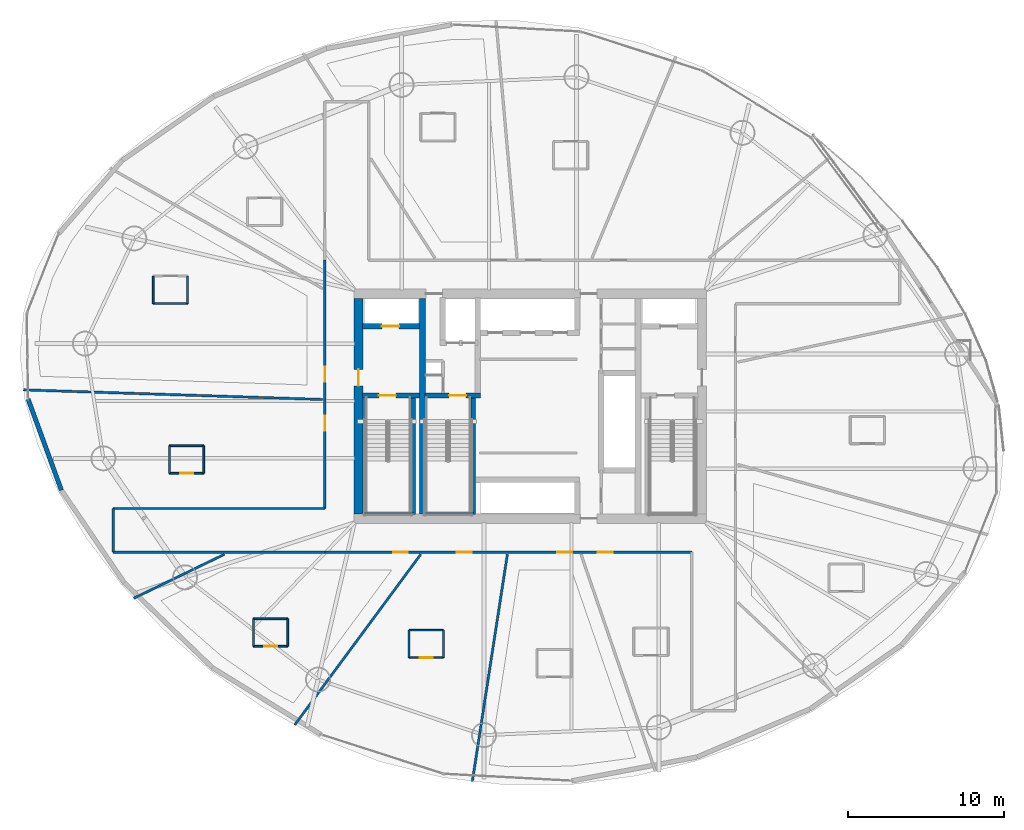
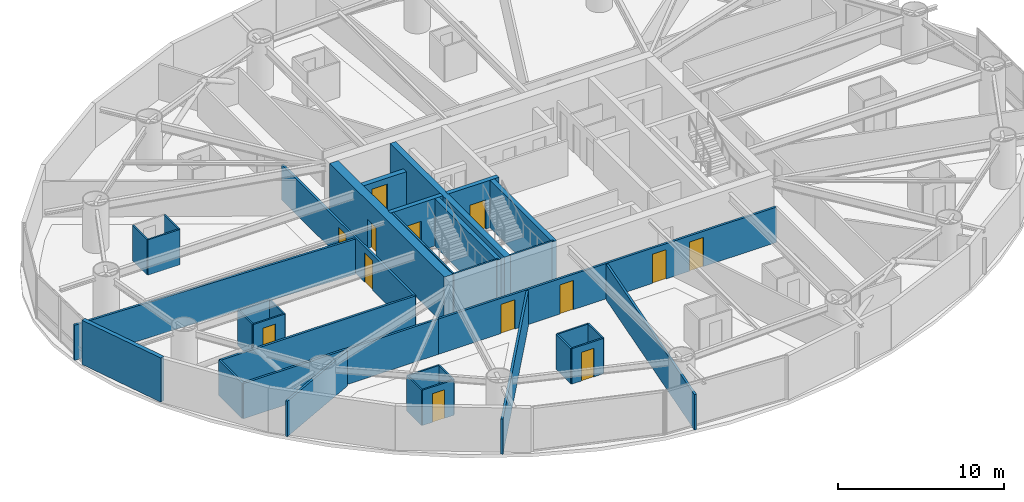
# One storey, part 19 of 26: 35 walls, 13 doors, 13 openings.
"""IFC4 building model written with IfcOpenShell, lengths in metres."""

import ifcopenshell
import ifcopenshell.guid

model = None  # the IFC model being written
_history = None  # IfcOwnerHistory: only IFC2X3 demands one
_inside = {}  # id of a spatial element -> (the spatial element, [elements in it])
_under = {}  # id of a project, library or spatial element -> (it, [spatial elements below it])
_declared = {}  # id of a project -> (the project, [libraries it declares])
_typed = {}  # id of a type object -> (the type object, [elements of that type])
_made_of = {}  # id of a material, layer set ... -> (it, [elements and type objects made of it])


def new_model(schema):
    """Start an empty IFC model of exactly this schema.

    Asked for "IFC4X3", IfcOpenShell would pick the latest addendum, in which some entities
    have other attributes; the version numbers below select the first issue.
    IFC2X3 requires an IfcOwnerHistory on every rooted entity: one is made here for all.
    """
    global model, _history
    if schema == "IFC4X3":
        model = ifcopenshell.file(schema_version=(4, 3, 0, 0))
    else:
        model = ifcopenshell.file(schema=schema)
    _inside.clear()
    _under.clear()
    _declared.clear()
    _typed.clear()
    _made_of.clear()
    _history = None
    if model.schema == "IFC2X3":
        org = make("IfcOrganization", Name="unknown")
        user = make(
            "IfcPersonAndOrganization",
            ThePerson=make("IfcPerson", FamilyName="unknown"),
            TheOrganization=org,
        )
        app = make(
            "IfcApplication",
            ApplicationDeveloper=org,
            Version="unknown",
            ApplicationFullName="unknown",
            ApplicationIdentifier="unknown",
        )
        _history = make(
            "IfcOwnerHistory",
            OwningUser=user,
            OwningApplication=app,
            ChangeAction="ADDED",
            CreationDate=0,
        )
    return model


def make(cls, **values):
    """One entity of the class cls with the attributes given. An attribute that is None is left unset."""
    return model.create_entity(
        cls, **{name: value for name, value in values.items() if value is not None}
    )


def rooted(cls, **values):
    """An entity with a GlobalId (a new one), such as an element, a storey or a relation."""
    return make(cls, GlobalId=ifcopenshell.guid.new(), OwnerHistory=_history, **values)


def si_unit(unit_type, name, prefix=None):
    """IfcSIUnit, for example si_unit("LENGTHUNIT", "METRE", prefix="MILLI")."""
    return make("IfcSIUnit", UnitType=unit_type, Prefix=prefix, Name=name)


def assignment(units):
    """IfcUnitAssignment: the units of a project."""
    return None if units is None else make("IfcUnitAssignment", Units=units)


def point(xyz):
    """IfcCartesianPoint."""
    return None if xyz is None else make("IfcCartesianPoint", Coordinates=xyz)


def direction(xyz):
    """IfcDirection."""
    return None if xyz is None else make("IfcDirection", DirectionRatios=xyz)


def frame(location, z_axis=None, x_axis=None):
    """IfcAxis2Placement3D, a coordinate frame: its origin and axes. An axis left out is left unset."""
    return make(
        "IfcAxis2Placement3D",
        Location=point(location),
        Axis=direction(z_axis),
        RefDirection=direction(x_axis),
    )


def frame_2d(location, x_axis=None):
    """IfcAxis2Placement2D, a coordinate frame in the plane: its origin and x axis."""
    return make(
        "IfcAxis2Placement2D", Location=point(location), RefDirection=direction(x_axis)
    )


def origin():
    """The frame at (0, 0, 0) with its axes left unset."""
    return frame((0.0, 0.0, 0.0))


def place(relative_to, where):
    """IfcLocalPlacement: puts the frame where relative to a parent placement (None: the world)."""
    return make(
        "IfcLocalPlacement", PlacementRelTo=relative_to, RelativePlacement=where
    )


def context(
    kind, dimensions, precision=None, world=None, true_north=None, identifier=None
):
    """IfcGeometricRepresentationContext, for example the 3D "Model" context."""
    return make(
        "IfcGeometricRepresentationContext",
        ContextIdentifier=identifier,
        ContextType=kind,
        CoordinateSpaceDimension=dimensions,
        Precision=precision,
        WorldCoordinateSystem=world,
        TrueNorth=true_north,
    )


def subcontext(parent, identifier, kind, view, scale=None):
    """IfcGeometricRepresentationSubContext, for example "Body" below "Model"."""
    return make(
        "IfcGeometricRepresentationSubContext",
        ContextIdentifier=identifier,
        ContextType=kind,
        ParentContext=parent,
        TargetScale=scale,
        TargetView=view,
    )


def project(units=None, contexts=None):
    """IfcProject with its units and contexts."""
    return rooted(
        "IfcProject",
        Name="project",
        RepresentationContexts=contexts,
        UnitsInContext=assignment(units),
    )


def spatial(cls, under=None, at=None, **own):
    """A site, building, storey or space (cls), placed at a placement, below another one or the project."""
    s = rooted(cls, ObjectPlacement=at, **own)
    if under is not None:
        _under.setdefault(under.id(), (under, []))[1].append(s)
    return s


def profile(cls, at=None, kind="AREA", **sizes):
    """A parametric profile (cls). Its sizes go by their IFC names, for example OverallWidth=200.0."""
    return make(cls, ProfileType=kind, Position=at, **sizes)


def rectangle(**sizes):
    """IfcRectangleProfileDef."""
    return profile("IfcRectangleProfileDef", **sizes)


def extrude(swept, where, along, depth):
    """IfcExtrudedAreaSolid: the profile swept, set in the frame where, extruded along a direction by depth."""
    return make(
        "IfcExtrudedAreaSolid",
        SweptArea=swept,
        Position=where,
        ExtrudedDirection=direction(along),
        Depth=depth,
    )


def shape(context_of_items, identifier, shape_type, items):
    """IfcShapeRepresentation: the items that make up one representation, for example the "Body"."""
    return make(
        "IfcShapeRepresentation",
        ContextOfItems=context_of_items,
        RepresentationIdentifier=identifier,
        RepresentationType=shape_type,
        Items=items,
    )


def material(Name=None, Category=None):
    """IfcMaterial."""
    return make("IfcMaterial", Name=Name, Category=Category)


def layer(
    of_material, thickness, ventilated=None, Name=None, Category=None, Priority=None
):
    """IfcMaterialLayer: one layer of a wall or slab, of a material (None: an air gap)."""
    return make(
        "IfcMaterialLayer",
        Material=of_material,
        LayerThickness=thickness,
        IsVentilated=ventilated,
        Name=Name,
        Category=Category,
        Priority=Priority,
    )


def layer_set(layers, Name=None):
    """IfcMaterialLayerSet."""
    return make("IfcMaterialLayerSet", MaterialLayers=layers, LayerSetName=Name)


def made_of(thing, what):
    """Note that an element or type object is made of a material, layer set ...; save() writes the relation."""
    if what is not None:
        _made_of.setdefault(what.id(), (what, []))[1].append(thing)
    return thing


def type_object(cls, material=None, **own):
    """A type object (cls), such as IfcWallType, which elements share."""
    return made_of(rooted(cls, **own), material)


def element(
    cls,
    number,
    at=None,
    inside=None,
    cuts=None,
    type_object=None,
    material=None,
    context=None,
    identifier="Body",
    shape_type=None,
    held_by="IfcProductDefinitionShape",
    body=None,
    shapes=None,
    **own,
):
    """One element of the class cls, such as IfcWall. Its Tag is "e" and its number.

    at: its placement. inside: the storey or other place that contains it. cuts: it is an
    opening in that element (IfcRelVoidsElement). A single representation is given by context,
    identifier, shape_type and body (its items); several are given by shapes. held_by: the class
    of the entity that holds the representations. save() writes the other relations.
    """
    e = rooted(cls, Tag="e%d" % number, ObjectPlacement=at, **own)
    if body is not None:
        shapes = [shape(context, identifier, shape_type, body)]
    if shapes is not None:
        e.Representation = make(held_by, Representations=shapes)
    if inside is not None:
        _inside.setdefault(inside.id(), (inside, []))[1].append(e)
    if cuts is not None:
        rooted(
            "IfcRelVoidsElement", RelatingBuildingElement=cuts, RelatedOpeningElement=e
        )
    if type_object is not None:
        _typed.setdefault(type_object.id(), (type_object, []))[1].append(e)
    return made_of(e, material)


def fill(opening, filler):
    """IfcRelFillsElement: the door or window that sits in an opening."""
    return rooted(
        "IfcRelFillsElement",
        RelatingOpeningElement=opening,
        RelatedBuildingElement=filler,
    )


def aggregate(whole, parts):
    """IfcRelAggregates: a whole, such as a stair, and the parts it consists of."""
    return rooted("IfcRelAggregates", RelatingObject=whole, RelatedObjects=parts)


def save(model, path):
    """Write the relations noted so far, then the file.

    IfcRelAggregates (storeys below a building ...), IfcRelContainedInSpatialStructure (elements
    in a storey), IfcRelDefinesByType, IfcRelAssociatesMaterial and IfcRelDeclares: one each for
    every whole, place, type object, material and project.
    """
    for whole, parts in _under.values():
        aggregate(whole, parts)
    for where, things in _inside.values():
        rooted(
            "IfcRelContainedInSpatialStructure",
            RelatedElements=things,
            RelatingStructure=where,
        )
    for kind, things in _typed.values():
        rooted("IfcRelDefinesByType", RelatedObjects=things, RelatingType=kind)
    for what, things in _made_of.values():
        rooted("IfcRelAssociatesMaterial", RelatedObjects=things, RelatingMaterial=what)
    for by, libraries in _declared.values():
        rooted("IfcRelDeclares", RelatingContext=by, RelatedDefinitions=libraries)
    model.write(path)


model = new_model("IFC4")

# Units and contexts
model_context = context("Model", 3, precision=1e-05, world=origin(), true_north=direction((0.0, 1.0)))
body_context = subcontext(model_context, "Body", "Model", "MODEL_VIEW")
ifc_project = project(units=[si_unit("LENGTHUNIT", "METRE"), si_unit("AREAUNIT", "SQUARE_METRE"), si_unit("VOLUMEUNIT", "CUBIC_METRE"), si_unit("PLANEANGLEUNIT", "RADIAN"), si_unit("MASSUNIT", "GRAM", prefix="KILO")], contexts=[model_context])

# Site, building, storey
site_placement = place(None, origin())
site = spatial("IfcSite", under=ifc_project, at=site_placement, CompositionType="ELEMENT")
building_placement = place(site_placement, origin())
building = spatial("IfcBuilding", under=site, at=building_placement, Name="Bramvorn Convention Spire", CompositionType="ELEMENT")
storey_placement = place(building_placement, frame((0.0, 0.0, 76.39990234375)))
storey = spatial("IfcBuildingStorey", under=building, at=storey_placement, Name="L17", CompositionType="ELEMENT", Elevation=76.39990234375)

# Wall, opening, door
ifc_material_1 = material(Name="Concrete C60/70", Category="concrete")
ifc_layer_1 = layer(ifc_material_1, 0.60009765625)
ifc_layer_set_1 = layer_set([ifc_layer_1], Name="Concrete C60/70 - WL-CORE-600")
wall_type_1 = type_object("IfcWallType", Name="WL-CORE-600", PredefinedType="SHEAR", material=ifc_layer_set_1)
wall_1_placement = place(storey_placement, frame((27.0, 19.10009765625, 0.0), z_axis=(0.0, 0.0, 1.0), x_axis=(0.0, 1.0, 0.0)))
wall_1 = element("IfcWall", 1, at=wall_1_placement, inside=storey, type_object=wall_type_1, Name="L17 West RC core shear wall", PredefinedType="SHEAR", context=body_context, shape_type="SweptSolid", body=[
    extrude(rectangle(XDim=13.7998046875, YDim=0.60009765625, at=frame_2d((6.89990234375, 0.0))), origin(), (0.0, 0.0, 1.0), 3.5),
])
opening_1_placement = place(wall_1_placement, frame((8.199951171875, 0.0, 0.0)))
opening_1 = element("IfcOpeningElement", 2, at=opening_1_placement, cuts=wall_1, Name="Opening DL-105", PredefinedType="OPENING", context=body_context, shape_type="SweptSolid", body=[
    extrude(rectangle(XDim=1.050048828125, YDim=2.14990234375, at=frame_2d((0.52490234375, 1.074951171875))), frame((0.0, 0.31005859375, 0.0), z_axis=(0.0, -1.0, 0.0), x_axis=(1.0, 0.0, 0.0)), (0.0, 0.0, 1.0), 0.6201171875),
])
ifc_material_2 = material(Name="Smoke-Sealed Fire Lobby Timber-Core Door", Category="wood")
door_type_1 = type_object("IfcDoorType", Name="DR-LOBBY-1050", OperationType="NOTDEFINED", PredefinedType="DOOR", material=ifc_material_2)
door_1_placement = place(opening_1_placement, origin())
door_1 = element("IfcDoor", 3, at=door_1_placement, inside=storey, type_object=door_type_1, Name="L17 West Firefighting Lobby corridor door", OperationType="SINGLE_SWING_RIGHT", OverallHeight=2.14990234375, OverallWidth=1.050048828125, PredefinedType="DOOR", context=body_context, shape_type="SweptSolid", body=[
    extrude(rectangle(XDim=1.050048828125, YDim=2.14990234375, at=frame_2d((0.52490234375, 1.074951171875))), frame((0.0, 0.02490234375, 0.0), z_axis=(0.0, -1.0, 0.0), x_axis=(1.0, 0.0, 0.0)), (0.0, 0.0, 1.0), 0.050048828125),
])
fill(opening_1, door_1)

ifc_material_3 = material(Name="Concrete C50/60", Category="concrete")
ifc_layer_2 = layer(ifc_material_3, 0.35009765625)
ifc_layer_set_2 = layer_set([ifc_layer_2], Name="Concrete C50/60 - WL-CORE-INT-350")
wall_type_2 = type_object("IfcWallType", Name="WL-CORE-INT-350", PredefinedType="SHEAR", material=ifc_layer_set_2)
wall_2_placement = place(storey_placement, frame((27.25, 31.1201171875, 0.0), z_axis=(0.0, 0.0, 1.0), x_axis=(1.0, 0.0, 0.0)))
wall_2 = element("IfcWall", 4, at=wall_2_placement, inside=storey, type_object=wall_type_2, Name="L17 FE1 shaft front wall", PredefinedType="SHEAR", context=body_context, shape_type="SweptSolid", body=[
    extrude(rectangle(XDim=3.669921875, YDim=0.35009765625, at=frame_2d((1.8349609375, 0.0))), origin(), (0.0, 0.0, 1.0), 2.60009765625),
])
opening_2_placement = place(wall_2_placement, frame((1.25, 0.0, 0.0)))
opening_2 = element("IfcOpeningElement", 5, at=opening_2_placement, cuts=wall_2, Name="Opening LD-110", PredefinedType="OPENING", context=body_context, shape_type="SweptSolid", body=[
    extrude(rectangle(XDim=1.10009765625, YDim=2.14990234375, at=frame_2d((0.550048828125, 1.074951171875))), frame((0.0, 0.18505859375, 0.0), z_axis=(0.0, -1.0, 0.0), x_axis=(1.0, 0.0, 0.0)), (0.0, 0.0, 1.0), 0.3701171875),
])
ifc_material_4 = material(Name="Firefighting & Service Lift Sliding Landing Door", Category="steel")
door_type_2 = type_object("IfcDoorType", Name="DR-LIFT-LD-1100", OperationType="NOTDEFINED", PredefinedType="DOOR", material=ifc_material_4)
door_2_placement = place(opening_2_placement, origin())
door_2 = element("IfcDoor", 6, at=door_2_placement, inside=storey, type_object=door_type_2, Name="L17 Lift FE1 Sliding Landing Door", OperationType="SLIDING_TO_LEFT", OverallHeight=2.14990234375, OverallWidth=1.10009765625, PredefinedType="DOOR", context=body_context, shape_type="SweptSolid", body=[
    extrude(rectangle(XDim=1.10009765625, YDim=2.14990234375, at=frame_2d((0.550048828125, 1.074951171875))), frame((0.0, 0.02490234375, 0.0), z_axis=(0.0, -1.0, 0.0), x_axis=(1.0, 0.0, 0.0)), (0.0, 0.0, 1.0), 0.050048828125),
])
fill(opening_2, door_2)

# Walls
ifc_layer_3 = layer(ifc_material_1, 0.39990234375)
ifc_layer_set_3 = layer_set([ifc_layer_3], Name="Concrete C60/70 - WL-CORE-INT-400")
wall_type_3 = type_object("IfcWallType", Name="WL-CORE-INT-400", PredefinedType="SHEAR", material=ifc_layer_set_3)
wall_3_placement = place(storey_placement, frame((31.10009765625, 19.10009765625, 0.0), z_axis=(0.0, 0.0, 1.0), x_axis=(0.0, 1.0, 0.0)))
element("IfcWall", 7, at=wall_3_placement, inside=storey, type_object=wall_type_3, Name="L17 West internal core shear web", PredefinedType="SHEAR", context=body_context, shape_type="SweptSolid", body=[
    extrude(rectangle(XDim=13.7998046875, YDim=0.39990234375, at=frame_2d((6.89990234375, 0.0))), origin(), (0.0, 0.0, 1.0), 3.5),
])
ifc_material_5 = material(Name="Precast Concrete C40/50 with Bronze Terracotta Rainscreen", Category="masonry")
ifc_layer_4 = layer(ifc_material_5, 0.300048828125)
ifc_layer_set_4 = layer_set([ifc_layer_4], Name="Precast Concrete C40/50 with Bronze Terracotta Rainscreen - WL-EXT-BRONZE-300")
wall_type_4 = type_object("IfcWallType", Name="WL-EXT-BRONZE-300", PredefinedType="SOLIDWALL", material=ifc_layer_set_4)
wall_4_placement = place(storey_placement, frame((7.97607421875, 20.614013671875, 0.0), z_axis=(0.0, 0.0, 1.0), x_axis=(-0.343216289835, 0.939256396514, 0.0)))
element("IfcWall", 8, at=wall_4_placement, inside=storey, type_object=wall_type_4, Name="L17 expressed bronze Gothic lancet pier wall 14", PredefinedType="SOLIDWALL", context=body_context, shape_type="SweptSolid", body=[
    extrude(rectangle(XDim=6.212158203125, YDim=0.280029296875, at=frame_2d((3.10595703125, 0.0))), origin(), (0.0, 0.0, 1.0), 3.25),
])
ifc_material_6 = material(Name="Lightweight En-Suite & Wet-Wall Partition", Category="gypsum")
ifc_layer_5 = layer(ifc_material_6, 0.110107421875)
ifc_layer_set_5 = layer_set([ifc_layer_5], Name="Lightweight En-Suite & Wet-Wall Partition - WL-PART-110")
wall_type_5 = type_object("IfcWallType", Name="WL-PART-110", PredefinedType="PARTITIONING", material=ifc_layer_set_5)
wall_5_placement = place(storey_placement, frame((13.850830078125, 32.57568359375, 0.0), z_axis=(0.0, 0.0, 1.0), x_axis=(1.0, 0.0, 0.0)))
element("IfcWall", 9, at=wall_5_placement, inside=storey, type_object=wall_type_5, Name="Hotel Suite 1706 en-suite south wall", PredefinedType="PARTITIONING", context=body_context, shape_type="SweptSolid", body=[
    extrude(rectangle(XDim=2.199951171875, YDim=0.110107421875, at=frame_2d((1.10009765625, 0.0))), origin(), (0.0, 0.0, 1.0), 2.60009765625),
])
for number, where, z_axis, x_axis, name in (
    (10, (13.850830078125, 32.57568359375, 0.0), (0.0, 0.0, 1.0), (0.0, 1.0, 0.0), "Hotel Suite 1706 en-suite west wall"),
    (11, (16.05078125, 32.57568359375, 0.0), (0.0, 0.0, 1.0), (0.0, 1.0, 0.0), "Hotel Suite 1706 en-suite east wall"),
):
    element("IfcWall", number, at=place(storey_placement, frame(where, z_axis=z_axis, x_axis=x_axis)), inside=storey, type_object=wall_type_5, Name=name, PredefinedType="PARTITIONING", context=body_context, shape_type="SweptSolid", body=[
        extrude(rectangle(XDim=1.760009765625, YDim=0.110107421875, at=frame_2d((0.8798828125, 0.0))), origin(), (0.0, 0.0, 1.0), 2.60009765625),
    ])

# Wall, opening, door
wall_6_placement = place(storey_placement, frame((14.89306640625, 21.70166015625, 0.0), z_axis=(0.0, 0.0, 1.0), x_axis=(1.0, 0.0, 0.0)))
wall_6 = element("IfcWall", 12, at=wall_6_placement, inside=storey, type_object=wall_type_5, Name="Hotel Suite 1707 en-suite south wall", PredefinedType="PARTITIONING", context=body_context, shape_type="SweptSolid", body=[
    extrude(rectangle(XDim=2.199951171875, YDim=0.110107421875, at=frame_2d((1.10009765625, 0.0))), origin(), (0.0, 0.0, 1.0), 2.60009765625),
])
opening_3_placement = place(wall_6_placement, frame((0.679931640625, 0.0, 0.0)))
opening_3 = element("IfcOpeningElement", 13, at=opening_3_placement, cuts=wall_6, Name="Opening DI-085", PredefinedType="OPENING", context=body_context, shape_type="SweptSolid", body=[
    extrude(rectangle(XDim=0.85009765625, YDim=2.10009765625, at=frame_2d((0.425048828125, 1.050048828125))), frame((0.0, 0.06494140625, 0.0), z_axis=(0.0, -1.0, 0.0), x_axis=(1.0, 0.0, 0.0)), (0.0, 0.0, 1.0), 0.130126953125),
])
ifc_material_7 = material(Name="En-Suite & Restroom Privacy Door", Category="wood")
door_type_3 = type_object("IfcDoorType", Name="DR-INT-850", OperationType="NOTDEFINED", PredefinedType="DOOR", material=ifc_material_7)
door_3_placement = place(opening_3_placement, origin())
door_3 = element("IfcDoor", 14, at=door_3_placement, inside=storey, type_object=door_type_3, Name="Hotel Suite 1707 En-Suite Bathroom door", OperationType="SINGLE_SWING_LEFT", OverallHeight=2.10009765625, OverallWidth=0.85009765625, PredefinedType="DOOR", context=body_context, shape_type="SweptSolid", body=[
    extrude(rectangle(XDim=0.85009765625, YDim=2.10009765625, at=frame_2d((0.425048828125, 1.050048828125))), frame((0.0, 0.02490234375, 0.0), z_axis=(0.0, -1.0, 0.0), x_axis=(1.0, 0.0, 0.0)), (0.0, 0.0, 1.0), 0.050048828125),
])
fill(opening_3, door_3)

# Walls
wall_7_placement = place(storey_placement, frame((14.89306640625, 23.461669921875, 0.0), z_axis=(0.0, 0.0, 1.0), x_axis=(1.0, 0.0, 0.0)))
element("IfcWall", 15, at=wall_7_placement, inside=storey, type_object=wall_type_5, Name="Hotel Suite 1707 en-suite north wall", PredefinedType="PARTITIONING", context=body_context, shape_type="SweptSolid", body=[
    extrude(rectangle(XDim=2.199951171875, YDim=0.110107421875, at=frame_2d((1.10009765625, 0.0))), origin(), (0.0, 0.0, 1.0), 2.60009765625),
])
for number, where, z_axis, x_axis, name in (
    (16, (14.89306640625, 21.70166015625, 0.0), (0.0, 0.0, 1.0), (0.0, 1.0, 0.0), "Hotel Suite 1707 en-suite west wall"),
    (17, (17.093017578125, 21.70166015625, 0.0), (0.0, 0.0, 1.0), (0.0, 1.0, 0.0), "Hotel Suite 1707 en-suite east wall"),
):
    element("IfcWall", number, at=place(storey_placement, frame(where, z_axis=z_axis, x_axis=x_axis)), inside=storey, type_object=wall_type_5, Name=name, PredefinedType="PARTITIONING", context=body_context, shape_type="SweptSolid", body=[
        extrude(rectangle(XDim=1.760009765625, YDim=0.110107421875, at=frame_2d((0.8798828125, 0.0))), origin(), (0.0, 0.0, 1.0), 2.60009765625),
    ])

# Wall, opening, door
wall_8_placement = place(storey_placement, frame((20.272216796875, 10.625732421875, 0.0), z_axis=(0.0, 0.0, 1.0), x_axis=(1.0, 0.0, 0.0)))
wall_8 = element("IfcWall", 18, at=wall_8_placement, inside=storey, type_object=wall_type_5, Name="Hotel Suite 1708 en-suite south wall", PredefinedType="PARTITIONING", context=body_context, shape_type="SweptSolid", body=[
    extrude(rectangle(XDim=2.2001953125, YDim=0.110107421875, at=frame_2d((1.10009765625, 0.0))), origin(), (0.0, 0.0, 1.0), 2.60009765625),
])
opening_4_placement = place(wall_8_placement, frame((0.679931640625, 0.0, 0.0)))
opening_4 = element("IfcOpeningElement", 19, at=opening_4_placement, cuts=wall_8, Name="Opening DI-085", PredefinedType="OPENING", context=body_context, shape_type="SweptSolid", body=[
    extrude(rectangle(XDim=0.85009765625, YDim=2.10009765625, at=frame_2d((0.425048828125, 1.050048828125))), frame((0.0, 0.06494140625, 0.0), z_axis=(0.0, -1.0, 0.0), x_axis=(1.0, 0.0, 0.0)), (0.0, 0.0, 1.0), 0.130126953125),
])
door_4_placement = place(opening_4_placement, origin())
door_4 = element("IfcDoor", 20, at=door_4_placement, inside=storey, type_object=door_type_3, Name="Hotel Suite 1708 En-Suite Bathroom door", OperationType="SINGLE_SWING_LEFT", OverallHeight=2.10009765625, OverallWidth=0.85009765625, PredefinedType="DOOR", context=body_context, shape_type="SweptSolid", body=[
    extrude(rectangle(XDim=0.85009765625, YDim=2.10009765625, at=frame_2d((0.425048828125, 1.050048828125))), frame((0.0, 0.02490234375, 0.0), z_axis=(0.0, -1.0, 0.0), x_axis=(1.0, 0.0, 0.0)), (0.0, 0.0, 1.0), 0.050048828125),
])
fill(opening_4, door_4)

# Walls
wall_9_placement = place(storey_placement, frame((20.272216796875, 12.3857421875, 0.0), z_axis=(0.0, 0.0, 1.0), x_axis=(1.0, 0.0, 0.0)))
element("IfcWall", 21, at=wall_9_placement, inside=storey, type_object=wall_type_5, Name="Hotel Suite 1708 en-suite north wall", PredefinedType="PARTITIONING", context=body_context, shape_type="SweptSolid", body=[
    extrude(rectangle(XDim=2.2001953125, YDim=0.110107421875, at=frame_2d((1.10009765625, 0.0))), origin(), (0.0, 0.0, 1.0), 2.60009765625),
])
for number, where, z_axis, x_axis, name in (
    (22, (20.272216796875, 10.625732421875, 0.0), (0.0, 0.0, 1.0), (0.0, 1.0, 0.0), "Hotel Suite 1708 en-suite west wall"),
    (23, (22.472412109375, 10.625732421875, 0.0), (0.0, 0.0, 1.0), (0.0, 1.0, 0.0), "Hotel Suite 1708 en-suite east wall"),
):
    element("IfcWall", number, at=place(storey_placement, frame(where, z_axis=z_axis, x_axis=x_axis)), inside=storey, type_object=wall_type_5, Name=name, PredefinedType="PARTITIONING", context=body_context, shape_type="SweptSolid", body=[
        extrude(rectangle(XDim=1.760009765625, YDim=0.110107421875, at=frame_2d((0.8798828125, 0.0))), origin(), (0.0, 0.0, 1.0), 2.60009765625),
    ])

# Wall, opening, door
wall_10_placement = place(storey_placement, frame((30.240478515625, 9.897216796875, 0.0), z_axis=(0.0, 0.0, 1.0), x_axis=(1.0, 0.0, 0.0)))
wall_10 = element("IfcWall", 24, at=wall_10_placement, inside=storey, type_object=wall_type_5, Name="Hotel Suite 1709 en-suite south wall", PredefinedType="PARTITIONING", context=body_context, shape_type="SweptSolid", body=[
    extrude(rectangle(XDim=2.2001953125, YDim=0.110107421875, at=frame_2d((1.10009765625, 0.0))), origin(), (0.0, 0.0, 1.0), 2.60009765625),
])
opening_5_placement = place(wall_10_placement, frame((0.679931640625, 0.0, 0.0)))
opening_5 = element("IfcOpeningElement", 25, at=opening_5_placement, cuts=wall_10, Name="Opening DI-085", PredefinedType="OPENING", context=body_context, shape_type="SweptSolid", body=[
    extrude(rectangle(XDim=0.85009765625, YDim=2.10009765625, at=frame_2d((0.425048828125, 1.050048828125))), frame((0.0, 0.06494140625, 0.0), z_axis=(0.0, -1.0, 0.0), x_axis=(1.0, 0.0, 0.0)), (0.0, 0.0, 1.0), 0.130126953125),
])
door_5_placement = place(opening_5_placement, origin())
door_5 = element("IfcDoor", 26, at=door_5_placement, inside=storey, type_object=door_type_3, Name="Hotel Suite 1709 En-Suite Bathroom door", OperationType="SINGLE_SWING_LEFT", OverallHeight=2.10009765625, OverallWidth=0.85009765625, PredefinedType="DOOR", context=body_context, shape_type="SweptSolid", body=[
    extrude(rectangle(XDim=0.85009765625, YDim=2.10009765625, at=frame_2d((0.425048828125, 1.050048828125))), frame((0.0, 0.02490234375, 0.0), z_axis=(0.0, -1.0, 0.0), x_axis=(1.0, 0.0, 0.0)), (0.0, 0.0, 1.0), 0.050048828125),
])
fill(opening_5, door_5)

# Walls
wall_11_placement = place(storey_placement, frame((30.240478515625, 11.656982421875, 0.0), z_axis=(0.0, 0.0, 1.0), x_axis=(1.0, 0.0, 0.0)))
element("IfcWall", 27, at=wall_11_placement, inside=storey, type_object=wall_type_5, Name="Hotel Suite 1709 en-suite north wall", PredefinedType="PARTITIONING", context=body_context, shape_type="SweptSolid", body=[
    extrude(rectangle(XDim=2.2001953125, YDim=0.110107421875, at=frame_2d((1.10009765625, 0.0))), origin(), (0.0, 0.0, 1.0), 2.60009765625),
])
for number, where, z_axis, x_axis, name in (
    (28, (30.240478515625, 9.897216796875, 0.0), (0.0, 0.0, 1.0), (0.0, 1.0, 0.0), "Hotel Suite 1709 en-suite west wall"),
    (29, (32.440673828125, 9.897216796875, 0.0), (0.0, 0.0, 1.0), (0.0, 1.0, 0.0), "Hotel Suite 1709 en-suite east wall"),
):
    element("IfcWall", number, at=place(storey_placement, frame(where, z_axis=z_axis, x_axis=x_axis)), inside=storey, type_object=wall_type_5, Name=name, PredefinedType="PARTITIONING", context=body_context, shape_type="SweptSolid", body=[
        extrude(rectangle(XDim=1.759765625, YDim=0.110107421875, at=frame_2d((0.8798828125, 0.0))), origin(), (0.0, 0.0, 1.0), 2.60009765625),
    ])

# Wall, openings, doors
ifc_material_8 = material(Name="Acoustic Metal-Stud Tenant/Corridor Partition", Category="gypsum")
ifc_layer_6 = layer(ifc_material_8, 0.14990234375)
ifc_layer_set_6 = layer_set([ifc_layer_6], Name="Acoustic Metal-Stud Tenant/Corridor Partition - WL-PART-150")
wall_type_6 = type_object("IfcWallType", Name="WL-PART-150", PredefinedType="PARTITIONING", material=ifc_layer_set_6)
wall_12_placement = place(storey_placement, frame((24.85009765625, 16.64990234375, 0.0), z_axis=(0.0, 0.0, 1.0), x_axis=(1.0, 0.0, 0.0)))
wall_12 = element("IfcWall", 30, at=wall_12_placement, inside=storey, type_object=wall_type_6, Name="L17 South ring corridor wall", PredefinedType="PARTITIONING", context=body_context, shape_type="SweptSolid", body=[
    extrude(rectangle(XDim=23.5, YDim=0.14990234375, at=frame_2d((11.75, 0.0))), origin(), (0.0, 0.0, 1.0), 2.60009765625),
])
opening_6_placement = place(wall_12_placement, frame((4.361572265625, 0.0, 0.0)))
opening_6 = element("IfcOpeningElement", 31, at=opening_6_placement, cuts=wall_12, Name="Opening DH-095", PredefinedType="OPENING", context=body_context, shape_type="SweptSolid", body=[
    extrude(rectangle(XDim=0.949951171875, YDim=2.14990234375, at=frame_2d((0.47509765625, 1.074951171875))), frame((0.0, 0.0849609375, 0.0), z_axis=(0.0, -1.0, 0.0), x_axis=(1.0, 0.0, 0.0)), (0.0, 0.0, 1.0), 0.169921875),
])
opening_7_placement = place(wall_12_placement, frame((8.439208984375, 0.0, 0.0)))
opening_7 = element("IfcOpeningElement", 32, at=opening_7_placement, cuts=wall_12, Name="Opening DH-095", PredefinedType="OPENING", context=body_context, shape_type="SweptSolid", body=[
    extrude(rectangle(XDim=0.949951171875, YDim=2.14990234375, at=frame_2d((0.47509765625, 1.074951171875))), frame((0.0, 0.0849609375, 0.0), z_axis=(0.0, -1.0, 0.0), x_axis=(1.0, 0.0, 0.0)), (0.0, 0.0, 1.0), 0.169921875),
])
opening_8_placement = place(wall_12_placement, frame((14.892822265625, 0.0, 0.0)))
opening_8 = element("IfcOpeningElement", 33, at=opening_8_placement, cuts=wall_12, Name="Opening DH-095", PredefinedType="OPENING", context=body_context, shape_type="SweptSolid", body=[
    extrude(rectangle(XDim=0.949951171875, YDim=2.14990234375, at=frame_2d((0.47509765625, 1.074951171875))), frame((0.0, 0.0849609375, 0.0), z_axis=(0.0, -1.0, 0.0), x_axis=(1.0, 0.0, 0.0)), (0.0, 0.0, 1.0), 0.169921875),
])
opening_9_placement = place(wall_12_placement, frame((17.47509765625, 0.0, 0.0)))
opening_9 = element("IfcOpeningElement", 34, at=opening_9_placement, cuts=wall_12, Name="Opening DH-095", PredefinedType="OPENING", context=body_context, shape_type="SweptSolid", body=[
    extrude(rectangle(XDim=0.949951171875, YDim=2.14990234375, at=frame_2d((0.47509765625, 1.074951171875))), frame((0.0, 0.0849609375, 0.0), z_axis=(0.0, -1.0, 0.0), x_axis=(1.0, 0.0, 0.0)), (0.0, 0.0, 1.0), 0.169921875),
])
ifc_material_9 = material(Name="Solid-Core Acoustic Guestroom Entry Door", Category="wood")
door_type_4 = type_object("IfcDoorType", Name="DR-HOTEL-950", OperationType="NOTDEFINED", PredefinedType="DOOR", material=ifc_material_9)
door_6_placement = place(opening_6_placement, origin())
door_6 = element("IfcDoor", 35, at=door_6_placement, inside=storey, type_object=door_type_4, Name="Hotel Suite 1708 entry door", OperationType="SINGLE_SWING_LEFT", OverallHeight=2.14990234375, OverallWidth=0.949951171875, PredefinedType="DOOR", context=body_context, shape_type="SweptSolid", body=[
    extrude(rectangle(XDim=0.949951171875, YDim=2.14990234375, at=frame_2d((0.47509765625, 1.074951171875))), frame((0.0, 0.02490234375, 0.0), z_axis=(0.0, -1.0, 0.0), x_axis=(1.0, 0.0, 0.0)), (0.0, 0.0, 1.0), 0.050048828125),
])
fill(opening_6, door_6)
door_7_placement = place(opening_7_placement, origin())
door_7 = element("IfcDoor", 36, at=door_7_placement, inside=storey, type_object=door_type_4, Name="Hotel Suite 1709 entry door", OperationType="SINGLE_SWING_RIGHT", OverallHeight=2.14990234375, OverallWidth=0.949951171875, PredefinedType="DOOR", context=body_context, shape_type="SweptSolid", body=[
    extrude(rectangle(XDim=0.949951171875, YDim=2.14990234375, at=frame_2d((0.47509765625, 1.074951171875))), frame((0.0, 0.02490234375, 0.0), z_axis=(0.0, -1.0, 0.0), x_axis=(1.0, 0.0, 0.0)), (0.0, 0.0, 1.0), 0.050048828125),
])
fill(opening_7, door_7)
door_8_placement = place(opening_8_placement, origin())
door_8 = element("IfcDoor", 37, at=door_8_placement, inside=storey, type_object=door_type_4, Name="Hotel Suite 1710 entry door", OperationType="SINGLE_SWING_RIGHT", OverallHeight=2.14990234375, OverallWidth=0.949951171875, PredefinedType="DOOR", context=body_context, shape_type="SweptSolid", body=[
    extrude(rectangle(XDim=0.949951171875, YDim=2.14990234375, at=frame_2d((0.47509765625, 1.074951171875))), frame((0.0, 0.02490234375, 0.0), z_axis=(0.0, -1.0, 0.0), x_axis=(1.0, 0.0, 0.0)), (0.0, 0.0, 1.0), 0.050048828125),
])
fill(opening_8, door_8)
door_9_placement = place(opening_9_placement, origin())
door_9 = element("IfcDoor", 38, at=door_9_placement, inside=storey, type_object=door_type_4, Name="Hotel Suite 1711 entry door", OperationType="SINGLE_SWING_LEFT", OverallHeight=2.14990234375, OverallWidth=0.949951171875, PredefinedType="DOOR", context=body_context, shape_type="SweptSolid", body=[
    extrude(rectangle(XDim=0.949951171875, YDim=2.14990234375, at=frame_2d((0.47509765625, 1.074951171875))), frame((0.0, 0.02490234375, 0.0), z_axis=(0.0, -1.0, 0.0), x_axis=(1.0, 0.0, 0.0)), (0.0, 0.0, 1.0), 0.050048828125),
])
fill(opening_9, door_9)

wall_13_placement = place(storey_placement, frame((24.85009765625, 19.449951171875, 0.0), z_axis=(0.0, 0.0, 1.0), x_axis=(0.0, 1.0, 0.0)))
wall_13 = element("IfcWall", 39, at=wall_13_placement, inside=storey, type_object=wall_type_6, Name="L17 West ring corridor wall", PredefinedType="PARTITIONING", context=body_context, shape_type="SweptSolid", body=[
    extrude(rectangle(XDim=15.900146484375, YDim=0.14990234375, at=frame_2d((7.9501953125, 0.0))), origin(), (0.0, 0.0, 1.0), 2.60009765625),
])
opening_10_placement = place(wall_13_placement, frame((8.12841796875, 0.0, 0.0)))
opening_10 = element("IfcOpeningElement", 40, at=opening_10_placement, cuts=wall_13, Name="Opening DH-095", PredefinedType="OPENING", context=body_context, shape_type="SweptSolid", body=[
    extrude(rectangle(XDim=0.949951171875, YDim=2.14990234375, at=frame_2d((0.47509765625, 1.074951171875))), frame((0.0, 0.0849609375, 0.0), z_axis=(0.0, -1.0, 0.0), x_axis=(1.0, 0.0, 0.0)), (0.0, 0.0, 1.0), 0.169921875),
])
opening_11_placement = place(wall_13_placement, frame((4.98046875, 0.0, 0.0)))
opening_11 = element("IfcOpeningElement", 41, at=opening_11_placement, cuts=wall_13, Name="Opening DH-095", PredefinedType="OPENING", context=body_context, shape_type="SweptSolid", body=[
    extrude(rectangle(XDim=0.949951171875, YDim=2.14990234375, at=frame_2d((0.47509765625, 1.074951171875))), frame((0.0, 0.0849609375, 0.0), z_axis=(0.0, -1.0, 0.0), x_axis=(1.0, 0.0, 0.0)), (0.0, 0.0, 1.0), 0.169921875),
])
door_10_placement = place(opening_10_placement, origin())
door_10 = element("IfcDoor", 42, at=door_10_placement, inside=storey, type_object=door_type_4, Name="Hotel Suite 1706 entry door", OperationType="SINGLE_SWING_RIGHT", OverallHeight=2.14990234375, OverallWidth=0.949951171875, PredefinedType="DOOR", context=body_context, shape_type="SweptSolid", body=[
    extrude(rectangle(XDim=0.949951171875, YDim=2.14990234375, at=frame_2d((0.47509765625, 1.074951171875))), frame((0.0, 0.02490234375, 0.0), z_axis=(0.0, -1.0, 0.0), x_axis=(1.0, 0.0, 0.0)), (0.0, 0.0, 1.0), 0.050048828125),
])
fill(opening_10, door_10)
door_11_placement = place(opening_11_placement, origin())
door_11 = element("IfcDoor", 43, at=door_11_placement, inside=storey, type_object=door_type_4, Name="Hotel Suite 1707 entry door", OperationType="SINGLE_SWING_RIGHT", OverallHeight=2.14990234375, OverallWidth=0.949951171875, PredefinedType="DOOR", context=body_context, shape_type="SweptSolid", body=[
    extrude(rectangle(XDim=0.949951171875, YDim=2.14990234375, at=frame_2d((0.47509765625, 1.074951171875))), frame((0.0, 0.02490234375, 0.0), z_axis=(0.0, -1.0, 0.0), x_axis=(1.0, 0.0, 0.0)), (0.0, 0.0, 1.0), 0.050048828125),
])
fill(opening_11, door_11)

# Walls
for number, where, z_axis, x_axis, name in (
    (44, (11.287353515625, 19.449951171875, 0.0), (0.0, 0.0, 1.0), (1.0, 0.0, 0.0), "L17 SW pinwheel wing north wall"),
    (45, (11.287353515625, 16.64990234375, 0.0), (0.0, 0.0, 1.0), (1.0, 0.0, 0.0), "L17 SW pinwheel wing south wall"),
):
    element("IfcWall", number, at=place(storey_placement, frame(where, z_axis=z_axis, x_axis=x_axis)), inside=storey, type_object=wall_type_6, Name=name, PredefinedType="PARTITIONING", context=body_context, shape_type="SweptSolid", body=[
        extrude(rectangle(XDim=13.562744140625, YDim=0.14990234375, at=frame_2d((6.78125, 0.0))), origin(), (0.0, 0.0, 1.0), 2.60009765625),
    ])
wall_14_placement = place(storey_placement, frame((11.287353515625, 16.64990234375, 0.0), z_axis=(0.0, 0.0, 1.0), x_axis=(0.0, 1.0, 0.0)))
element("IfcWall", 46, at=wall_14_placement, inside=storey, type_object=wall_type_6, Name="L17 SW pinwheel end wall", PredefinedType="PARTITIONING", context=body_context, shape_type="SweptSolid", body=[
    extrude(rectangle(XDim=2.800048828125, YDim=0.14990234375, at=frame_2d((1.39990234375, 0.0))), origin(), (0.0, 0.0, 1.0), 2.60009765625),
])
wall_15_placement = place(storey_placement, frame((24.7099609375, 26.428466796875, 0.0), z_axis=(0.0, 0.0, 1.0), x_axis=(-0.999481039659, 0.032212596324, 0.0)))
element("IfcWall", 47, at=wall_15_placement, inside=storey, type_object=wall_type_6, Name="L17 Guestroom demising wall 7", PredefinedType="PARTITIONING", context=body_context, shape_type="SweptSolid", body=[
    extrude(rectangle(XDim=19.190185546875, YDim=0.14990234375, at=frame_2d((9.59521484375, 0.0))), origin(), (0.0, 0.0, 1.0), 2.60009765625),
])
wall_16_placement = place(storey_placement, frame((18.4091796875, 16.510009765625, 0.0), z_axis=(0.0, 0.0, 1.0), x_axis=(-0.89996418275, -0.435963839977, 0.0)))
element("IfcWall", 48, at=wall_16_placement, inside=storey, type_object=wall_type_6, Name="L17 Guestroom demising wall 8", PredefinedType="PARTITIONING", context=body_context, shape_type="SweptSolid", body=[
    extrude(rectangle(XDim=6.461181640625, YDim=0.14990234375, at=frame_2d((3.23046875, 0.0))), origin(), (0.0, 0.0, 1.0), 2.60009765625),
])
wall_17_placement = place(storey_placement, frame((30.987548828125, 16.510009765625, 0.0), z_axis=(0.0, 0.0, 1.0), x_axis=(-0.594280459422, -0.804257878761, 0.0)))
element("IfcWall", 49, at=wall_17_placement, inside=storey, type_object=wall_type_6, Name="L17 Guestroom demising wall 9", PredefinedType="PARTITIONING", context=body_context, shape_type="SweptSolid", body=[
    extrude(rectangle(XDim=13.593017578125, YDim=0.14990234375, at=frame_2d((6.79638671875, 0.0))), origin(), (0.0, 0.0, 1.0), 2.60009765625),
])
wall_18_placement = place(storey_placement, frame((36.5361328125, 16.510009765625, 0.0), z_axis=(0.0, 0.0, 1.0), x_axis=(-0.152462111612, -0.988309316218, 0.0)))
element("IfcWall", 50, at=wall_18_placement, inside=storey, type_object=wall_type_6, Name="L17 Guestroom demising wall 10", PredefinedType="PARTITIONING", context=body_context, shape_type="SweptSolid", body=[
    extrude(rectangle(XDim=14.72412109375, YDim=0.14990234375, at=frame_2d((7.362060546875, 0.0))), origin(), (0.0, 0.0, 1.0), 2.60009765625),
])

# Wall, opening, door
ifc_layer_7 = layer(ifc_material_3, 0.300048828125)
ifc_layer_set_7 = layer_set([ifc_layer_7], Name="Concrete C50/60 - WL-POD-STAIR-300")
wall_type_7 = type_object("IfcWallType", Name="WL-POD-STAIR-300", PredefinedType="SHEAR", material=ifc_layer_set_7)
wall_19_placement = place(storey_placement, frame((27.25, 26.68994140625, 0.0), z_axis=(0.0, 0.0, 1.0), x_axis=(1.0, 0.0, 0.0)))
wall_19 = element("IfcWall", 51, at=wall_19_placement, inside=storey, type_object=wall_type_7, Name="L17 ST1 north fire wall", PredefinedType="SHEAR", context=body_context, shape_type="SweptSolid", body=[
    extrude(rectangle(XDim=3.669921875, YDim=0.300048828125, at=frame_2d((1.8349609375, 0.0))), origin(), (0.0, 0.0, 1.0), 3.5),
])
opening_12_placement = place(wall_19_placement, frame((1.050048828125, 0.0, 0.0)))
opening_12 = element("IfcOpeningElement", 52, at=opening_12_placement, cuts=wall_19, Name="Opening DS-110", PredefinedType="OPENING", context=body_context, shape_type="SweptSolid", body=[
    extrude(rectangle(XDim=1.10009765625, YDim=2.14990234375, at=frame_2d((0.550048828125, 1.074951171875))), frame((0.0, 0.159912109375, 0.0), z_axis=(0.0, -1.0, 0.0), x_axis=(1.0, 0.0, 0.0)), (0.0, 0.0, 1.0), 0.320068359375),
])
ifc_material_10 = material(Name="Fire-Rated Hollow Steel Stairwell Door", Category="steel")
door_type_5 = type_object("IfcDoorType", Name="DR-STAIR-1100", OperationType="NOTDEFINED", PredefinedType="DOOR", material=ifc_material_10)
door_12_placement = place(opening_12_placement, origin())
door_12 = element("IfcDoor", 53, at=door_12_placement, inside=storey, type_object=door_type_5, Name="L17 Stair ST1 fire door", OperationType="SINGLE_SWING_LEFT", OverallHeight=2.14990234375, OverallWidth=1.10009765625, PredefinedType="DOOR", context=body_context, shape_type="SweptSolid", body=[
    extrude(rectangle(XDim=1.10009765625, YDim=2.14990234375, at=frame_2d((0.550048828125, 1.074951171875))), frame((0.0, 0.02490234375, 0.0), z_axis=(0.0, -1.0, 0.0), x_axis=(1.0, 0.0, 0.0)), (0.0, 0.0, 1.0), 0.050048828125),
])
fill(opening_12, door_12)

# Walls
for number, where, z_axis, x_axis, name in (
    (54, (30.489990234375, 19.050048828125, 0.0), (0.0, 0.0, 1.0), (0.0, 1.0, 0.0), "L17 ST1 east bearing wall"),
    (55, (34.340087890625, 19.050048828125, 0.0), (0.0, 0.0, 1.0), (0.0, 1.0, 0.0), "L17 ST3 east bearing wall"),
):
    element("IfcWall", number, at=place(storey_placement, frame(where, z_axis=z_axis, x_axis=x_axis)), inside=storey, type_object=wall_type_7, Name=name, PredefinedType="SHEAR", context=body_context, shape_type="SweptSolid", body=[
        extrude(rectangle(XDim=7.5, YDim=0.300048828125, at=frame_2d((3.75, 0.0))), origin(), (0.0, 0.0, 1.0), 3.5),
    ])

# Wall, opening, door
wall_20_placement = place(storey_placement, frame((31.25, 26.68994140625, 0.0), z_axis=(0.0, 0.0, 1.0), x_axis=(1.0, 0.0, 0.0)))
wall_20 = element("IfcWall", 56, at=wall_20_placement, inside=storey, type_object=wall_type_7, Name="L17 ST3 north lobby wall", PredefinedType="SHEAR", context=body_context, shape_type="SweptSolid", body=[
    extrude(rectangle(XDim=3.56005859375, YDim=0.300048828125, at=frame_2d((1.780029296875, 0.0))), origin(), (0.0, 0.0, 1.0), 3.5),
])
opening_13_placement = place(wall_20_placement, frame((1.550048828125, 0.0, 0.0)))
opening_13 = element("IfcOpeningElement", 57, at=opening_13_placement, cuts=wall_20, Name="Opening DS-110", PredefinedType="OPENING", context=body_context, shape_type="SweptSolid", body=[
    extrude(rectangle(XDim=1.10009765625, YDim=2.14990234375, at=frame_2d((0.550048828125, 1.074951171875))), frame((0.0, 0.159912109375, 0.0), z_axis=(0.0, -1.0, 0.0), x_axis=(1.0, 0.0, 0.0)), (0.0, 0.0, 1.0), 0.320068359375),
])
door_13_placement = place(opening_13_placement, origin())
door_13 = element("IfcDoor", 58, at=door_13_placement, inside=storey, type_object=door_type_5, Name="L17 Stair ST3 fire door", OperationType="SINGLE_SWING_LEFT", OverallHeight=2.14990234375, OverallWidth=1.10009765625, PredefinedType="DOOR", context=body_context, shape_type="SweptSolid", body=[
    extrude(rectangle(XDim=1.10009765625, YDim=2.14990234375, at=frame_2d((0.550048828125, 1.074951171875))), frame((0.0, 0.02490234375, 0.0), z_axis=(0.0, -1.0, 0.0), x_axis=(1.0, 0.0, 0.0)), (0.0, 0.0, 1.0), 0.050048828125),
])
fill(opening_13, door_13)

# Walls
ifc_layer_8 = layer(ifc_material_3, 0.1201171875)
ifc_layer_set_8 = layer_set([ifc_layer_8], Name="Concrete C50/60 - WL-STAIR-RC-120")
wall_type_8 = type_object("IfcWallType", Name="WL-STAIR-RC-120", PredefinedType="SHEAR", material=ifc_layer_set_8)
wall_21_placement = place(storey_placement, frame((27.39501953125, 19.10009765625, 0.0), z_axis=(0.0, 0.0, 1.0), x_axis=(0.0, 1.0, 0.0)))
element("IfcWall", 59, at=wall_21_placement, inside=storey, type_object=wall_type_8, Name="L17 ST1 west bearing shear wall", PredefinedType="SHEAR", context=body_context, shape_type="SweptSolid", body=[
    extrude(rectangle(XDim=7.449951171875, YDim=0.1201171875, at=frame_2d((3.72509765625, 0.0))), origin(), (0.0, 0.0, 1.0), 3.5),
])
wall_22_placement = place(storey_placement, frame((27.39501953125, 19.159912109375, 0.0), z_axis=(0.0, 0.0, 1.0), x_axis=(1.0, 0.0, 0.0)))
element("IfcWall", 60, at=wall_22_placement, inside=storey, type_object=wall_type_8, Name="L17 ST1 south bearing shear wall", PredefinedType="SHEAR", context=body_context, shape_type="SweptSolid", body=[
    extrude(rectangle(XDim=3.094970703125, YDim=0.1201171875, at=frame_2d((1.54736328125, 0.0))), origin(), (0.0, 0.0, 1.0), 3.5),
])
wall_23_placement = place(storey_placement, frame((31.300048828125, 19.159912109375, 0.0), z_axis=(0.0, 0.0, 1.0), x_axis=(1.0, 0.0, 0.0)))
element("IfcWall", 61, at=wall_23_placement, inside=storey, type_object=wall_type_8, Name="L17 ST3 south bearing shear wall", PredefinedType="SHEAR", context=body_context, shape_type="SweptSolid", body=[
    extrude(rectangle(XDim=3.0400390625, YDim=0.1201171875, at=frame_2d((1.52001953125, 0.0))), origin(), (0.0, 0.0, 1.0), 3.5),
])

save(model, "model.ifc")
